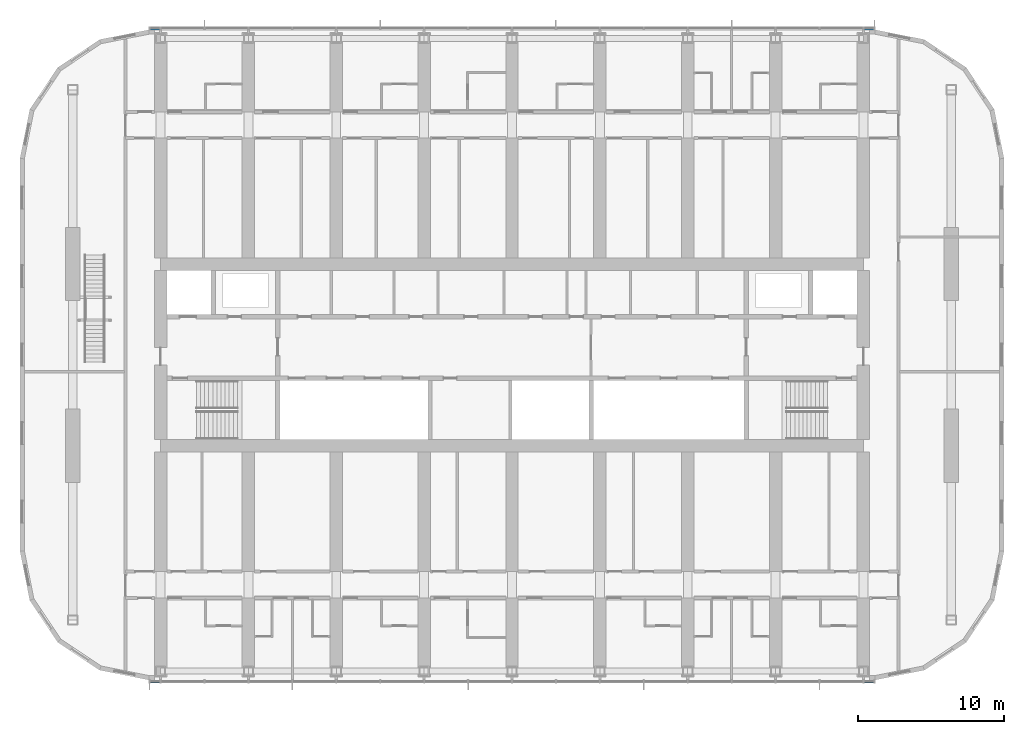
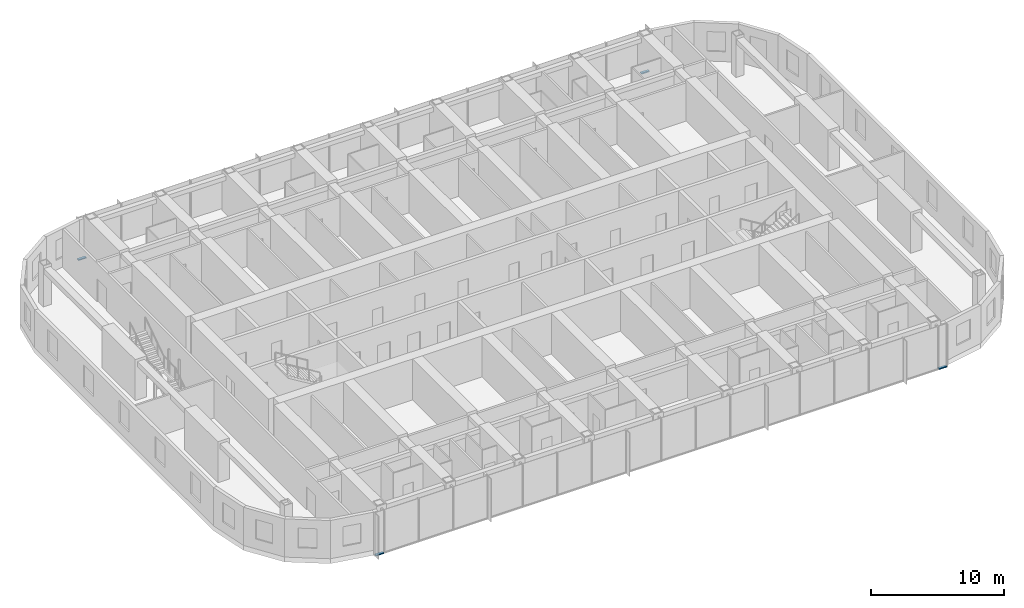
# One storey, part 8 of 28: 4 members, 2 elements without a shape of their own.
"""IFC4 building model written with IfcOpenShell, lengths in metres."""

from ifc_helpers import new_model, si_unit, direction, frame, origin, origin_2d, place, context, subcontext, project, spatial, rectangle, extrude, material, material_profile, profile_set, type_object, element, aggregate, save


model = new_model("IFC4")

# Units and contexts
model_context = context("Model", 3, precision=1e-05, world=origin(), true_north=direction((0.0, 1.0)))
body_context = subcontext(model_context, "Body", "Model", "MODEL_VIEW")
ifc_project = project(units=[si_unit("LENGTHUNIT", "METRE"), si_unit("AREAUNIT", "SQUARE_METRE"), si_unit("VOLUMEUNIT", "CUBIC_METRE"), si_unit("PLANEANGLEUNIT", "RADIAN"), si_unit("MASSUNIT", "GRAM", prefix="KILO")], contexts=[model_context])

# Site, building, storey
site_placement = place(None, origin())
site = spatial("IfcSite", under=ifc_project, at=site_placement, CompositionType="ELEMENT")
building_placement = place(site_placement, origin())
building = spatial("IfcBuilding", under=site, at=building_placement, Name="Orbita Commons", CompositionType="ELEMENT")
storey_placement = place(building_placement, frame((0.0, 0.0, 193.60009765625)))
storey = spatial("IfcBuildingStorey", under=building, at=storey_placement, Name="L48", CompositionType="ELEMENT", Elevation=193.60009765625)

# Curtain wall, members
ifc_material_1 = material(Name="Anodised aluminium frame, pale silver", Category="aluminium")
curtain_wall_type = type_object("IfcCurtainWallType", Name="Unitised curtain wall CW-U, full-height vision", PredefinedType="NOTDEFINED", material=ifc_material_1)
curtain_wall_1_placement = place(storey_placement, origin())
curtain_wall_1 = element("IfcCurtainWall", 1, at=curtain_wall_1_placement, inside=storey, type_object=curtain_wall_type, Name="Curtain wall south L48", PredefinedType="NOTDEFINED")
ifc_material_2 = material(Name="Anodised aluminium, pale silver", Category="aluminium")
ifc_material_profile = material_profile(ifc_material_2, rectangle(XDim=0.219970703125, YDim=0.10009765625, at=origin_2d()), Name="AL 220x100")
ifc_profile_set = profile_set([ifc_material_profile], Name="Anodised aluminium, pale silver")
member_type = type_object("IfcMemberType", Name="Curtain wall stack transom 220x100", PredefinedType="USERDEFINED", material=ifc_profile_set)
member_1_placement = place(storey_placement, frame((17.280029296875, 9.68994140625, -0.400146484375), z_axis=(1.0, 0.0, 0.0), x_axis=(0.0, 1.0, 0.0)))
member_1 = element("IfcMember", 2, at=member_1_placement, type_object=member_type, Name="Transom 1.1 CW-L48-S", ObjectType="TRANSOM", PredefinedType="USERDEFINED", context=body_context, shape_type="SweptSolid", body=[
    extrude(rectangle(XDim=0.219970703125, YDim=0.10009765625, at=origin_2d()), origin(), (0.0, 0.0, 1.0), 0.679931640625),
])
member_2_placement = place(storey_placement, frame((66.0400390625, 9.68994140625, -0.400146484375), z_axis=(1.0, 0.0, 0.0), x_axis=(0.0, 1.0, 0.0)))
member_2 = element("IfcMember", 3, at=member_2_placement, type_object=member_type, Name="Transom 18.1 CW-L48-S", ObjectType="TRANSOM", PredefinedType="USERDEFINED", context=body_context, shape_type="SweptSolid", body=[
    extrude(rectangle(XDim=0.219970703125, YDim=0.10009765625, at=origin_2d()), origin(), (0.0, 0.0, 1.0), 0.679931640625),
])
aggregate(curtain_wall_1, [member_1, member_2])

curtain_wall_2_placement = place(storey_placement, origin())
curtain_wall_2 = element("IfcCurtainWall", 4, at=curtain_wall_2_placement, inside=storey, type_object=curtain_wall_type, Name="Curtain wall north L48", PredefinedType="NOTDEFINED")
member_3_placement = place(storey_placement, frame((66.719970703125, 54.31005859375, -0.400146484375), z_axis=(-1.0, 0.0, 0.0), x_axis=(0.0, -1.0, 0.0)))
member_3 = element("IfcMember", 5, at=member_3_placement, type_object=member_type, Name="Transom 1.1 CW-L48-N", ObjectType="TRANSOM", PredefinedType="USERDEFINED", context=body_context, shape_type="SweptSolid", body=[
    extrude(rectangle(XDim=0.219970703125, YDim=0.10009765625, at=origin_2d()), origin(), (0.0, 0.0, 1.0), 0.679931640625),
])
member_4_placement = place(storey_placement, frame((17.9599609375, 54.31005859375, -0.400146484375), z_axis=(-1.0, 0.0, 0.0), x_axis=(0.0, -1.0, 0.0)))
member_4 = element("IfcMember", 6, at=member_4_placement, type_object=member_type, Name="Transom 18.1 CW-L48-N", ObjectType="TRANSOM", PredefinedType="USERDEFINED", context=body_context, shape_type="SweptSolid", body=[
    extrude(rectangle(XDim=0.219970703125, YDim=0.10009765625, at=origin_2d()), origin(), (0.0, 0.0, 1.0), 0.679931640625),
])
aggregate(curtain_wall_2, [member_3, member_4])

save(model, "model.ifc")
